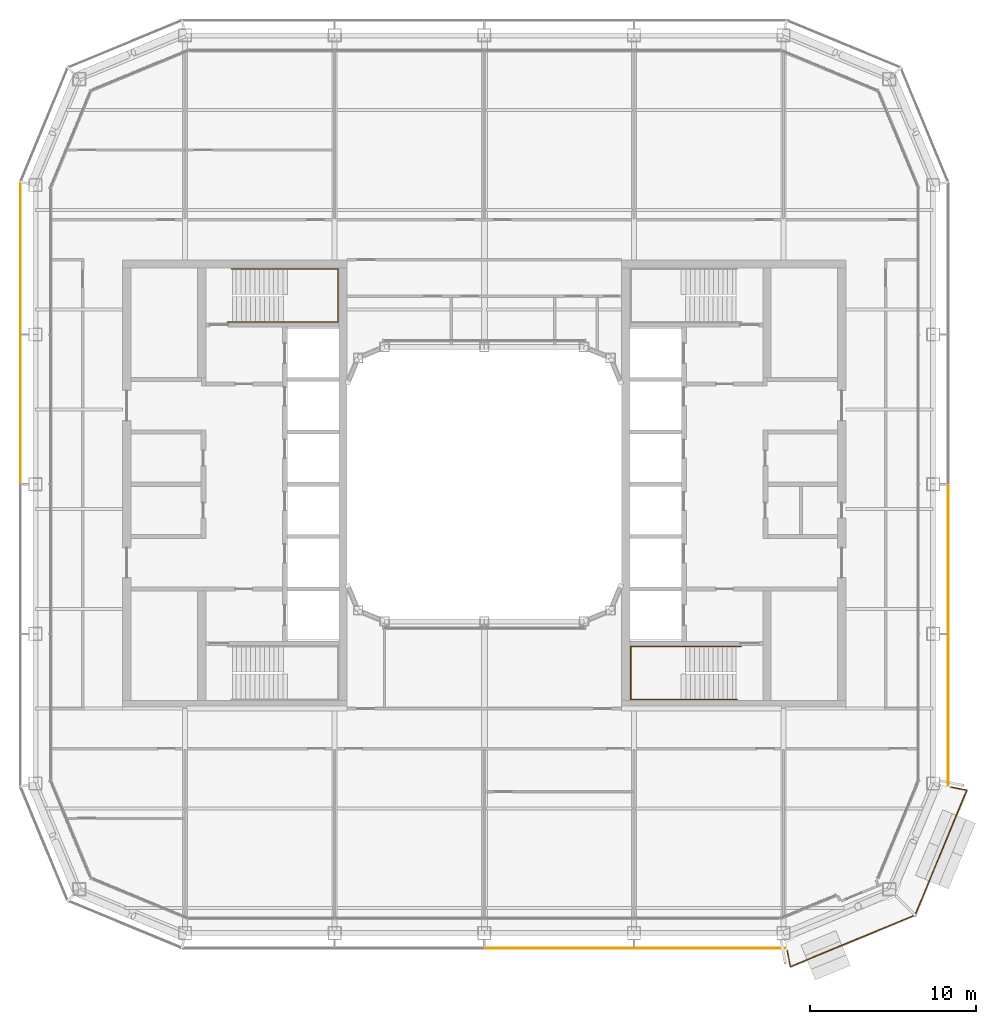
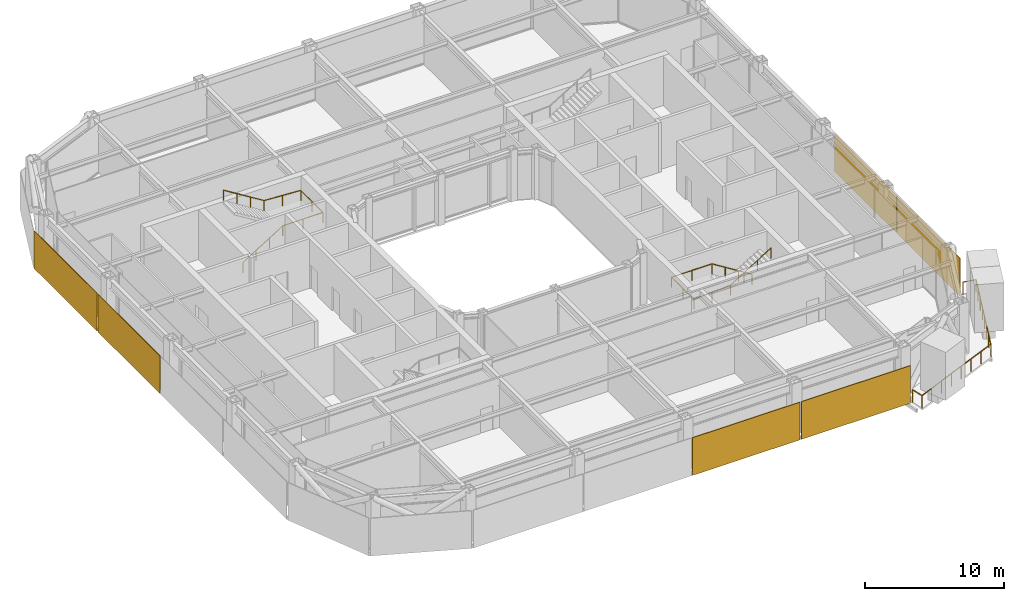
# One storey, part 19 of 22: 6 coverings, 3 railings.
"""IFC4 building model written with IfcOpenShell, lengths in metres."""

from ifc_helpers import new_model, si_unit, direction, frame, origin, origin_2d, place, context, subcontext, project, spatial, rectangle, circle, extrude, material, layer, layer_set, type_object, element, save


model = new_model("IFC4")

# Units and contexts
model_context = context("Model", 3, precision=1e-05, world=origin(), true_north=direction((0.0, 1.0)))
body_context = subcontext(model_context, "Body", "Model", "MODEL_VIEW")
ifc_project = project(units=[si_unit("LENGTHUNIT", "METRE"), si_unit("AREAUNIT", "SQUARE_METRE"), si_unit("VOLUMEUNIT", "CUBIC_METRE"), si_unit("PLANEANGLEUNIT", "RADIAN"), si_unit("MASSUNIT", "GRAM", prefix="KILO")], contexts=[model_context])

# Site, building, storey
site_placement = place(None, origin())
site = spatial("IfcSite", under=ifc_project, at=site_placement, CompositionType="ELEMENT")
building_placement = place(site_placement, origin())
building = spatial("IfcBuilding", under=site, at=building_placement, Name="Siwar Civic Tower", CompositionType="ELEMENT")
storey_placement = place(building_placement, frame((0.0, 0.0, 255.699951171875)))
storey = spatial("IfcBuildingStorey", under=building, at=storey_placement, Name="L55", CompositionType="ELEMENT", Elevation=255.699951171875)

# Railings
ifc_material_1 = material(Name="Stainless steel", Category="steel")
railing_type_1 = type_object("IfcRailingType", Name="CORE-STAIR-HANDRAIL", PredefinedType="HANDRAIL", material=ifc_material_1)
railing_1_placement = place(storey_placement, frame((-15.449951171875, 9.758056640625, 0.173095703125)))
element("IfcRailing", 1, at=railing_1_placement, inside=storey, type_object=railing_type_1, Name="Stair handrail ST1", PredefinedType="HANDRAIL", context=body_context, shape_type="SweptSolid", body=[
    extrude(circle(Radius=0.02001953125, at=origin_2d()), frame((0.0, 0.0, 0.8798828125), z_axis=(0.847063342986, 0.0, 0.531491950051), x_axis=(0.0, 1.0, 0.0)), (0.0, 0.0, 1.0), 3.90771484375),
    extrude(circle(Radius=0.02001953125, at=origin_2d()), frame((3.31005859375, 0.0, 2.956787109375), z_axis=(1.0, 0.0, 0.0), x_axis=(0.0, 1.0, 0.0)), (0.0, 0.0, 1.0), 3.331787109375),
    extrude(circle(Radius=0.02001953125, at=origin_2d()), frame((6.641845703125, 0.0, 2.956787109375), z_axis=(0.0, 1.0, 0.0), x_axis=(-1.0, 0.0, 0.0)), (0.0, 0.0, 1.0), 3.183837890625),
    extrude(circle(Radius=0.02001953125, at=origin_2d()), frame((6.641845703125, 3.183837890625, 2.956787109375), z_axis=(-0.99837434197, 0.0, 0.056997134106), x_axis=(0.0, -1.0, 0.0)), (0.0, 0.0, 1.0), 3.036865234375),
    extrude(circle(Radius=0.02001953125, at=origin_2d()), frame((3.60986328125, 3.183837890625, 3.1298828125), z_axis=(-0.850606129759, 0.0, 0.525803396734), x_axis=(0.0, -1.0, 0.0)), (0.0, 0.0, 1.0), 3.949951171875),
    extrude(circle(Radius=0.02001953125, at=origin_2d()), origin(), (0.0, 0.0, 1.0), 0.85986328125),
    extrude(circle(Radius=0.02001953125, at=origin_2d()), frame((1.103271484375, 0.0, 0.6923828125)), (0.0, 0.0, 1.0), 0.85986328125),
    extrude(circle(Radius=0.02001953125, at=origin_2d()), frame((2.206787109375, 0.0, 1.384521484375)), (0.0, 0.0, 1.0), 0.85986328125),
    extrude(circle(Radius=0.02001953125, at=origin_2d()), frame((3.31005859375, 0.0, 2.076904296875)), (0.0, 0.0, 1.0), 0.85986328125),
    extrude(circle(Radius=0.02001953125, at=origin_2d()), frame((4.97607421875, 0.0, 2.076904296875)), (0.0, 0.0, 1.0), 0.85986328125),
    extrude(circle(Radius=0.02001953125, at=origin_2d()), frame((6.641845703125, 0.0, 2.076904296875)), (0.0, 0.0, 1.0), 0.85986328125),
    extrude(circle(Radius=0.02001953125, at=origin_2d()), frame((6.641845703125, 1.591796875, 2.076904296875)), (0.0, 0.0, 1.0), 0.85986328125),
    extrude(circle(Radius=0.02001953125, at=origin_2d()), frame((6.641845703125, 3.183837890625, 2.076904296875)), (0.0, 0.0, 1.0), 0.85986328125),
    extrude(circle(Radius=0.02001953125, at=origin_2d()), frame((5.1259765625, 3.183837890625, 2.16357421875)), (0.0, 0.0, 1.0), 0.85986328125),
    extrude(circle(Radius=0.02001953125, at=origin_2d()), frame((3.60986328125, 3.183837890625, 2.25)), (0.0, 0.0, 1.0), 0.85986328125),
    extrude(circle(Radius=0.02001953125, at=origin_2d()), frame((2.489990234375, 3.183837890625, 2.9423828125)), (0.0, 0.0, 1.0), 0.85986328125),
    extrude(circle(Radius=0.02001953125, at=origin_2d()), frame((1.369873046875, 3.183837890625, 3.634521484375)), (0.0, 0.0, 1.0), 0.85986328125),
    extrude(circle(Radius=0.02001953125, at=origin_2d()), frame((0.25, 3.183837890625, 4.326904296875)), (0.0, 0.0, 1.0), 0.85986328125),
])
railing_2_placement = place(storey_placement, frame((15.449951171875, -9.758056640625, 0.173095703125)))
element("IfcRailing", 2, at=railing_2_placement, inside=storey, type_object=railing_type_1, Name="Stair handrail ST4", PredefinedType="HANDRAIL", context=body_context, shape_type="SweptSolid", body=[
    extrude(circle(Radius=0.02001953125, at=origin_2d()), frame((0.0, 0.0, 0.8798828125), z_axis=(-0.847063342986, 0.0, 0.531491950051), x_axis=(0.0, -1.0, 0.0)), (0.0, 0.0, 1.0), 3.90771484375),
    extrude(circle(Radius=0.02001953125, at=origin_2d()), frame((-3.31005859375, 0.0, 2.956787109375), z_axis=(-1.0, 0.0, 0.0), x_axis=(0.0, -1.0, 0.0)), (0.0, 0.0, 1.0), 3.331787109375),
    extrude(circle(Radius=0.02001953125, at=origin_2d()), frame((-6.641845703125, 0.0, 2.956787109375), z_axis=(0.0, -1.0, 0.0), x_axis=(1.0, 0.0, 0.0)), (0.0, 0.0, 1.0), 3.183837890625),
    extrude(circle(Radius=0.02001953125, at=origin_2d()), frame((-6.641845703125, -3.183837890625, 2.956787109375), z_axis=(0.99837434197, 0.0, 0.056997134106), x_axis=(0.0, 1.0, 0.0)), (0.0, 0.0, 1.0), 3.036865234375),
    extrude(circle(Radius=0.02001953125, at=origin_2d()), frame((-3.60986328125, -3.183837890625, 3.1298828125), z_axis=(0.850606129759, 0.0, 0.525803396734), x_axis=(0.0, 1.0, 0.0)), (0.0, 0.0, 1.0), 3.949951171875),
    extrude(circle(Radius=0.02001953125, at=origin_2d()), origin(), (0.0, 0.0, 1.0), 0.85986328125),
    extrude(circle(Radius=0.02001953125, at=origin_2d()), frame((-1.103271484375, 0.0, 0.6923828125)), (0.0, 0.0, 1.0), 0.85986328125),
    extrude(circle(Radius=0.02001953125, at=origin_2d()), frame((-2.206787109375, 0.0, 1.384521484375)), (0.0, 0.0, 1.0), 0.85986328125),
    extrude(circle(Radius=0.02001953125, at=origin_2d()), frame((-3.31005859375, 0.0, 2.076904296875)), (0.0, 0.0, 1.0), 0.85986328125),
    extrude(circle(Radius=0.02001953125, at=origin_2d()), frame((-4.97607421875, 0.0, 2.076904296875)), (0.0, 0.0, 1.0), 0.85986328125),
    extrude(circle(Radius=0.02001953125, at=origin_2d()), frame((-6.641845703125, 0.0, 2.076904296875)), (0.0, 0.0, 1.0), 0.85986328125),
    extrude(circle(Radius=0.02001953125, at=origin_2d()), frame((-6.641845703125, -1.591796875, 2.076904296875)), (0.0, 0.0, 1.0), 0.85986328125),
    extrude(circle(Radius=0.02001953125, at=origin_2d()), frame((-6.641845703125, -3.183837890625, 2.076904296875)), (0.0, 0.0, 1.0), 0.85986328125),
    extrude(circle(Radius=0.02001953125, at=origin_2d()), frame((-5.1259765625, -3.183837890625, 2.16357421875)), (0.0, 0.0, 1.0), 0.85986328125),
    extrude(circle(Radius=0.02001953125, at=origin_2d()), frame((-3.60986328125, -3.183837890625, 2.25)), (0.0, 0.0, 1.0), 0.85986328125),
    extrude(circle(Radius=0.02001953125, at=origin_2d()), frame((-2.489990234375, -3.183837890625, 2.9423828125)), (0.0, 0.0, 1.0), 0.85986328125),
    extrude(circle(Radius=0.02001953125, at=origin_2d()), frame((-1.369873046875, -3.183837890625, 3.634521484375)), (0.0, 0.0, 1.0), 0.85986328125),
    extrude(circle(Radius=0.02001953125, at=origin_2d()), frame((-0.25, -3.183837890625, 4.326904296875)), (0.0, 0.0, 1.0), 0.85986328125),
])
ifc_material_2 = material(Name="Stainless steel 316", Category="steel")
railing_type_2 = type_object("IfcRailingType", Name="ENV-GUARD", PredefinedType="GUARDRAIL", material=ifc_material_2)
railing_3_placement = place(storey_placement, frame((18.208251953125, -28.047119140625, 0.0)))
element("IfcRailing", 3, at=railing_3_placement, inside=storey, type_object=railing_type_2, Name="Balcony guard SE", PredefinedType="GUARDRAIL", context=body_context, shape_type="SweptSolid", body=[
    extrude(circle(Radius=0.02392578125, at=origin_2d()), frame((0.0, 0.0, 1.076171875), z_axis=(0.195123592472, -0.980778661911, 0.0), x_axis=(0.980778661911, 0.195123592472, 0.0)), (0.0, 0.0, 1.0), 0.993408203125),
    extrude(circle(Radius=0.02392578125, at=origin_2d()), frame((0.19384765625, -0.974365234375, 1.076171875), z_axis=(0.924089256518, 0.382176720888, 0.0), x_axis=(-0.382176720888, 0.924089256518, 0.0)), (0.0, 0.0, 1.0), 8.129638671875),
    extrude(circle(Radius=0.02392578125, at=origin_2d()), frame((7.706298828125, 2.132568359375, 1.076171875), z_axis=(0.382176720888, 0.924089256518, 0.0), x_axis=(-0.924089256518, 0.382176720888, 0.0)), (0.0, 0.0, 1.0), 8.129638671875),
    extrude(circle(Radius=0.02392578125, at=origin_2d()), frame((10.813232421875, 9.64501953125, 1.076171875), z_axis=(-0.980778661911, 0.195123592472, 0.0), x_axis=(-0.195123592472, -0.980778661911, 0.0)), (0.0, 0.0, 1.0), 0.993408203125),
    extrude(circle(Radius=0.02099609375, at=origin_2d()), origin(), (0.0, 0.0, 1.0), 1.052001953125),
    extrude(circle(Radius=0.02099609375, at=origin_2d()), frame((0.19384765625, -0.974365234375, 0.0)), (0.0, 0.0, 1.0), 1.052001953125),
    extrude(circle(Radius=0.02099609375, at=origin_2d()), frame((1.26708984375, -0.530517578125, 0.0)), (0.0, 0.0, 1.0), 1.052001953125),
    extrude(circle(Radius=0.02099609375, at=origin_2d()), frame((2.34033203125, -0.086669921875, 0.0)), (0.0, 0.0, 1.0), 1.052001953125),
    extrude(circle(Radius=0.02099609375, at=origin_2d()), frame((3.41357421875, 0.357177734375, 0.0)), (0.0, 0.0, 1.0), 1.052001953125),
    extrude(circle(Radius=0.02099609375, at=origin_2d()), frame((4.486572265625, 0.801025390625, 0.0)), (0.0, 0.0, 1.0), 1.052001953125),
    extrude(circle(Radius=0.02099609375, at=origin_2d()), frame((5.559814453125, 1.244873046875, 0.0)), (0.0, 0.0, 1.0), 1.052001953125),
    extrude(circle(Radius=0.02099609375, at=origin_2d()), frame((6.633056640625, 1.688720703125, 0.0)), (0.0, 0.0, 1.0), 1.052001953125),
    extrude(circle(Radius=0.02099609375, at=origin_2d()), frame((7.706298828125, 2.132568359375, 0.0)), (0.0, 0.0, 1.0), 1.052001953125),
    extrude(circle(Radius=0.02099609375, at=origin_2d()), frame((8.150146484375, 3.205810546875, 0.0)), (0.0, 0.0, 1.0), 1.052001953125),
    extrude(circle(Radius=0.02099609375, at=origin_2d()), frame((8.593994140625, 4.279052734375, 0.0)), (0.0, 0.0, 1.0), 1.052001953125),
    extrude(circle(Radius=0.02099609375, at=origin_2d()), frame((9.037841796875, 5.352294921875, 0.0)), (0.0, 0.0, 1.0), 1.052001953125),
    extrude(circle(Radius=0.02099609375, at=origin_2d()), frame((9.481689453125, 6.42529296875, 0.0)), (0.0, 0.0, 1.0), 1.052001953125),
    extrude(circle(Radius=0.02099609375, at=origin_2d()), frame((9.925537109375, 7.49853515625, 0.0)), (0.0, 0.0, 1.0), 1.052001953125),
    extrude(circle(Radius=0.02099609375, at=origin_2d()), frame((10.369384765625, 8.57177734375, 0.0)), (0.0, 0.0, 1.0), 1.052001953125),
    extrude(circle(Radius=0.02099609375, at=origin_2d()), frame((10.813232421875, 9.64501953125, 0.0)), (0.0, 0.0, 1.0), 1.052001953125),
    extrude(circle(Radius=0.02099609375, at=origin_2d()), frame((9.8388671875, 9.8388671875, 0.0)), (0.0, 0.0, 1.0), 1.052001953125),
])

# Coverings
ifc_material_3 = material(Name="Perforated aluminium cassette, pale metal", Category="aluminium")
ifc_layer_1 = layer(ifc_material_3, 0.0400390625)
ifc_layer_set_1 = layer_set([ifc_layer_1], Name="Perforated aluminium cassette, pale metal")
covering_type_1 = type_object("IfcCoveringType", Name="ENV-OUTER SKIN OS-1", PredefinedType="CLADDING", material=ifc_layer_set_1)
covering_1_placement = place(storey_placement, frame((27.89990234375, -13.57958984375, -0.14990234375), z_axis=(0.0, 0.0, 1.0), x_axis=(0.0, 1.0, 0.0)))
element("IfcCovering", 4, at=covering_1_placement, inside=storey, type_object=covering_type_1, Name="OUTER SKIN OS-1 E 1", PredefinedType="CLADDING", context=body_context, shape_type="SweptSolid", body=[
    extrude(rectangle(XDim=9.05908203125, YDim=0.0400390625, at=origin_2d()), origin(), (0.0, 0.0, 1.0), 3.300048828125),
])
covering_2_placement = place(storey_placement, frame((27.89990234375, -4.5, -0.14990234375), z_axis=(0.0, 0.0, 1.0), x_axis=(0.0, 1.0, 0.0)))
element("IfcCovering", 5, at=covering_2_placement, inside=storey, type_object=covering_type_1, Name="OUTER SKIN OS-1 E 2", PredefinedType="CLADDING", context=body_context, shape_type="SweptSolid", body=[
    extrude(rectangle(XDim=8.89990234375, YDim=0.0400390625, at=origin_2d()), origin(), (0.0, 0.0, 1.0), 3.300048828125),
])
ifc_material_4 = material(Name="Perforated aluminium cassette, pale metal", Category="aluminium")
ifc_layer_2 = layer(ifc_material_4, 0.050048828125)
ifc_layer_set_2 = layer_set([ifc_layer_2], Name="Perforated aluminium cassette, pale metal")
covering_type_2 = type_object("IfcCoveringType", Name="ENV-OUTER SKIN OS-3", PredefinedType="CLADDING", material=ifc_layer_set_2)
covering_3_placement = place(storey_placement, frame((-27.89990234375, 13.57958984375, -0.14990234375), z_axis=(0.0, 0.0, 1.0), x_axis=(0.0, -1.0, 0.0)))
element("IfcCovering", 6, at=covering_3_placement, inside=storey, type_object=covering_type_2, Name="OUTER SKIN OS-3 W 1", PredefinedType="CLADDING", context=body_context, shape_type="SweptSolid", body=[
    extrude(rectangle(XDim=9.05908203125, YDim=0.050048828125, at=origin_2d()), origin(), (0.0, 0.0, 1.0), 3.300048828125),
])
covering_4_placement = place(storey_placement, frame((-27.89990234375, 4.5, -0.14990234375), z_axis=(0.0, 0.0, 1.0), x_axis=(0.0, -1.0, 0.0)))
element("IfcCovering", 7, at=covering_4_placement, inside=storey, type_object=covering_type_2, Name="OUTER SKIN OS-3 W 2", PredefinedType="CLADDING", context=body_context, shape_type="SweptSolid", body=[
    extrude(rectangle(XDim=8.89990234375, YDim=0.050048828125, at=origin_2d()), origin(), (0.0, 0.0, 1.0), 3.300048828125),
])
ifc_material_5 = material(Name="Perforated aluminium cassette, pale metal", Category="aluminium")
ifc_layer_3 = layer(ifc_material_5, 0.054931640625)
ifc_layer_set_3 = layer_set([ifc_layer_3], Name="Perforated aluminium cassette, pale metal")
covering_type_3 = type_object("IfcCoveringType", Name="ENV-OUTER SKIN OS-4", PredefinedType="CLADDING", material=ifc_layer_set_3)
covering_5_placement = place(storey_placement, frame((4.5, -27.89990234375, -0.14990234375), z_axis=(0.0, 0.0, 1.0), x_axis=(1.0, 0.0, 0.0)))
element("IfcCovering", 8, at=covering_5_placement, inside=storey, type_object=covering_type_3, Name="OUTER SKIN OS-4 S 3", PredefinedType="CLADDING", context=body_context, shape_type="SweptSolid", body=[
    extrude(rectangle(XDim=8.89990234375, YDim=0.054931640625, at=origin_2d()), origin(), (0.0, 0.0, 1.0), 3.300048828125),
])
covering_6_placement = place(storey_placement, frame((13.57958984375, -27.89990234375, -0.14990234375), z_axis=(0.0, 0.0, 1.0), x_axis=(1.0, 0.0, 0.0)))
element("IfcCovering", 9, at=covering_6_placement, inside=storey, type_object=covering_type_3, Name="OUTER SKIN OS-4 S 4", PredefinedType="CLADDING", context=body_context, shape_type="SweptSolid", body=[
    extrude(rectangle(XDim=9.05908203125, YDim=0.054931640625, at=origin_2d()), origin(), (0.0, 0.0, 1.0), 3.300048828125),
])

save(model, "model.ifc")
